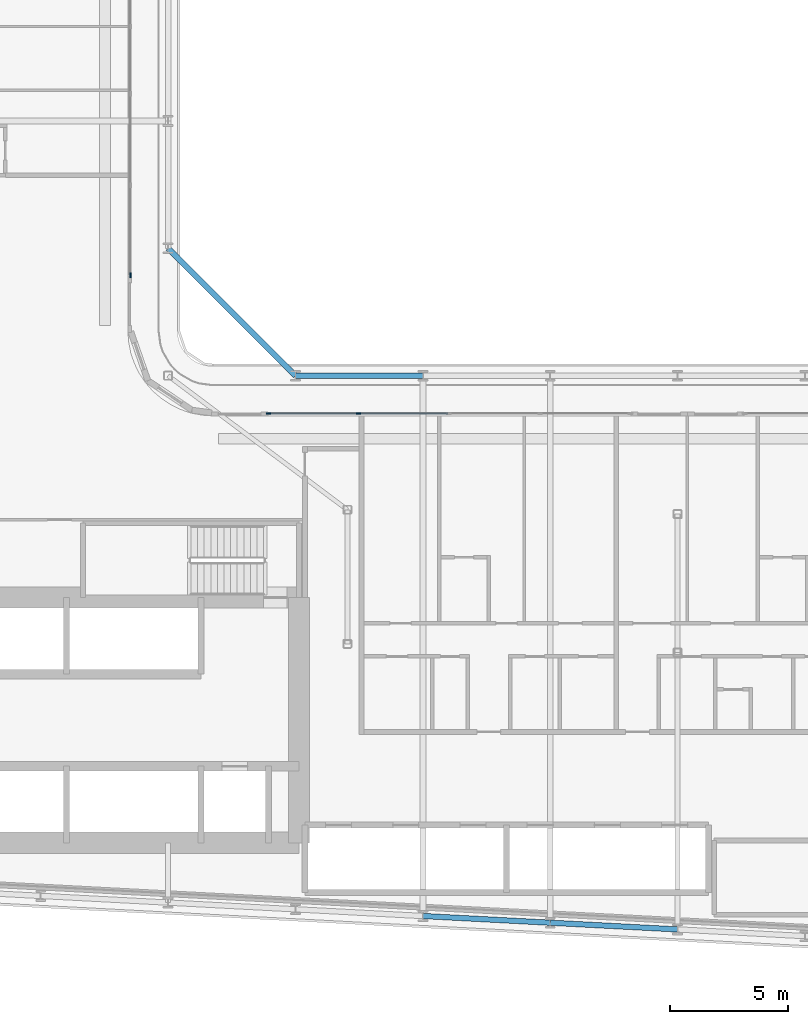
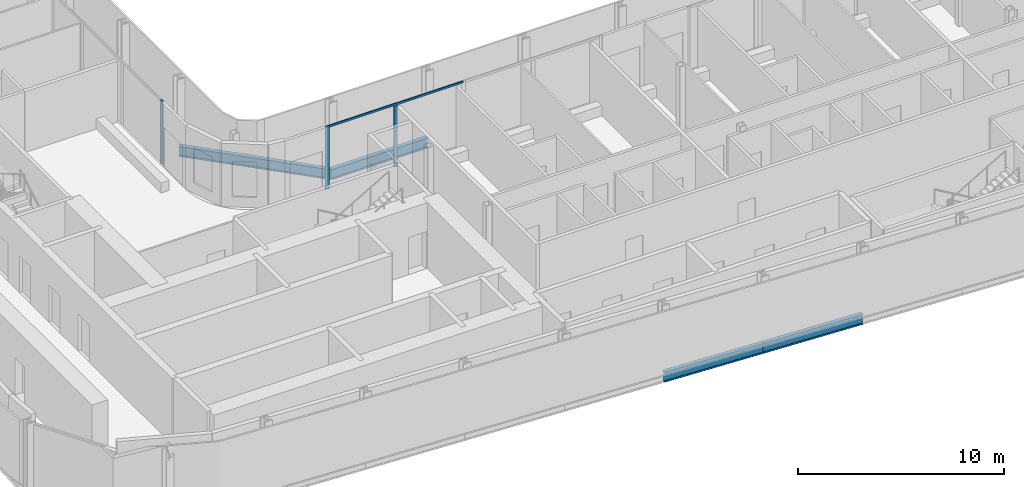
# One storey, part 4 of 29: 4 beams, 4 members, 2 elements without a shape of their own.
"""IFC4 building model written with IfcOpenShell, lengths in metres."""

from ifc_helpers import new_model, si_unit, direction, frame, origin, origin_2d, place, context, subcontext, project, spatial, rectangle, i_section, extrude, material, layer, layer_set, material_profile, profile_set, type_object, element, aggregate, save


model = new_model("IFC4")

# Units and contexts
model_context = context("Model", 3, precision=1e-05, world=origin(), true_north=direction((0.0, 1.0)))
body_context = subcontext(model_context, "Body", "Model", "MODEL_VIEW")
ifc_project = project(units=[si_unit("LENGTHUNIT", "METRE"), si_unit("AREAUNIT", "SQUARE_METRE"), si_unit("VOLUMEUNIT", "CUBIC_METRE"), si_unit("PLANEANGLEUNIT", "RADIAN"), si_unit("MASSUNIT", "GRAM", prefix="KILO")], contexts=[model_context])

# Site, building, storey
site_placement = place(None, origin())
site = spatial("IfcSite", under=ifc_project, at=site_placement, CompositionType="ELEMENT")
building_placement = place(site_placement, origin())
building = spatial("IfcBuilding", under=site, at=building_placement, Name="Kheshtan School and Residences Tower", CompositionType="ELEMENT")
storey_placement = place(building_placement, frame((0.0, 0.0, 117.5)))
storey = spatial("IfcBuildingStorey", under=building, at=storey_placement, Name="L27", CompositionType="ELEMENT", Elevation=117.5)

# Beams
ifc_material_1 = material(Name="Steel ASTM A992 Grade 50", Category="steel")
ifc_material_profile_1 = material_profile(ifc_material_1, i_section(OverallWidth=0.22802734375, OverallDepth=0.60302734375, WebThickness=0.010498046875, FlangeThickness=0.014892578125, FilletRadius=0.013427734375, at=origin_2d()), Name="W610x101")
ifc_profile_set_1 = profile_set([ifc_material_profile_1], Name="Steel ASTM A992 Grade 50")
beam_type = type_object("IfcBeamType", Name="Beam SP2 W610x101 ASTM A992 Grade 50", PredefinedType="BEAM", material=ifc_profile_set_1)
beam_1_placement = place(storey_placement, frame((47.60009765625, 51.0, -0.451416015625), z_axis=(0.707106781187, -0.707106781187, 0.0), x_axis=(0.707106781187, 0.707106781187, 0.0)))
element("IfcBeam", 1, at=beam_1_placement, inside=storey, type_object=beam_type, Name="Spandrel beam C079-C061", PredefinedType="BEAM", context=body_context, shape_type="SweptSolid", body=[
    extrude(i_section(OverallWidth=0.22802734375, OverallDepth=0.60302734375, WebThickness=0.010498046875, FlangeThickness=0.014892578125, FilletRadius=0.013427734375, at=origin_2d()), origin(), (0.0, 0.0, 1.0), 7.63671875),
])
beam_2_placement = place(storey_placement, frame((53.0, 45.60009765625, -0.451416015625), z_axis=(1.0, 0.0, 0.0), x_axis=(0.0, 1.0, 0.0)))
element("IfcBeam", 2, at=beam_2_placement, inside=storey, type_object=beam_type, Name="Spandrel beam C061-C062", PredefinedType="BEAM", context=body_context, shape_type="SweptSolid", body=[
    extrude(i_section(OverallWidth=0.22802734375, OverallDepth=0.60302734375, WebThickness=0.010498046875, FlangeThickness=0.014892578125, FilletRadius=0.013427734375, at=origin_2d()), origin(), (0.0, 0.0, 1.0), 5.39990234375),
])
beam_3_placement = place(storey_placement, frame((69.199951171875, 22.126953125, -0.451416015625), z_axis=(-0.998620447272, 0.05250906864, 0.0), x_axis=(-0.05250906864, -0.998620447272, 0.0)))
element("IfcBeam", 3, at=beam_3_placement, inside=storey, type_object=beam_type, Name="Spandrel beam C014-C016", PredefinedType="BEAM", context=body_context, shape_type="SweptSolid", body=[
    extrude(i_section(OverallWidth=0.22802734375, OverallDepth=0.60302734375, WebThickness=0.010498046875, FlangeThickness=0.014892578125, FilletRadius=0.013427734375, at=origin_2d()), origin(), (0.0, 0.0, 1.0), 5.407470703125),
])
beam_4_placement = place(storey_placement, frame((63.800048828125, 22.410888671875, -0.451416015625), z_axis=(-0.998618203458, 0.052551724256, 0.0), x_axis=(-0.052551724256, -0.998618203458, 0.0)))
element("IfcBeam", 4, at=beam_4_placement, inside=storey, type_object=beam_type, Name="Spandrel beam C016-C018", PredefinedType="BEAM", context=body_context, shape_type="SweptSolid", body=[
    extrude(i_section(OverallWidth=0.22802734375, OverallDepth=0.60302734375, WebThickness=0.010498046875, FlangeThickness=0.014892578125, FilletRadius=0.013427734375, at=origin_2d()), origin(), (0.0, 0.0, 1.0), 5.40771484375),
])

# Curtain wall, member
ifc_material_2 = material(Name="Clear low-e glass in thermally broken aluminium frame", Category="aluminium")
ifc_layer = layer(ifc_material_2, 0.199951171875)
ifc_layer_set = layer_set([ifc_layer], Name="Curtain wall CW-L")
curtain_wall_type = type_object("IfcCurtainWallType", Name="Curtain wall CW-L", PredefinedType="NOTDEFINED", material=ifc_layer_set)
curtain_wall_1_placement = place(storey_placement, origin())
curtain_wall_1 = element("IfcCurtainWall", 5, at=curtain_wall_1_placement, inside=storey, type_object=curtain_wall_type, Name="Curtain wall CWL8", PredefinedType="NOTDEFINED")
ifc_material_3 = material(Name="Thermally broken aluminium, dark bronze anodised", Category="aluminium")
ifc_material_profile_2 = material_profile(ifc_material_3, rectangle(XDim=0.06005859375, YDim=0.199951171875, at=origin_2d()), Name="CW-L mullion 60x200")
ifc_profile_set_2 = profile_set([ifc_material_profile_2], Name="Thermally broken aluminium, dark bronze anodised")
member_type_1 = type_object("IfcMemberType", Name="CW-L mullion 60x200", PredefinedType="MULLION", material=ifc_profile_set_2)
member_1_placement = place(storey_placement, frame((46.0, 49.860107421875, 0.0), z_axis=(0.0, 0.0, 1.0), x_axis=(1.0, 0.0, 0.0)))
member_1 = element("IfcMember", 6, at=member_1_placement, type_object=member_type_1, Name="CWL8 mullion 3", PredefinedType="MULLION", context=body_context, shape_type="SweptSolid", body=[
    extrude(rectangle(XDim=0.06005859375, YDim=0.199951171875, at=origin_2d()), origin(), (0.0, 0.0, 1.0), 3.75),
])
aggregate(curtain_wall_1, [member_1])

# Curtain wall, members
curtain_wall_2_placement = place(storey_placement, origin())
curtain_wall_2 = element("IfcCurtainWall", 7, at=curtain_wall_2_placement, inside=storey, type_object=curtain_wall_type, Name="Curtain wall CWL12j", PredefinedType="NOTDEFINED")
member_2_placement = place(storey_placement, frame((51.860107421875, 44.0, 0.0), z_axis=(0.0, 0.0, 1.0), x_axis=(0.0, 1.0, 0.0)))
member_2 = element("IfcMember", 8, at=member_2_placement, type_object=member_type_1, Name="CWL12j mullion 1", PredefinedType="MULLION", context=body_context, shape_type="SweptSolid", body=[
    extrude(rectangle(XDim=0.06005859375, YDim=0.199951171875, at=origin_2d()), origin(), (0.0, 0.0, 1.0), 3.75),
])
member_3_placement = place(storey_placement, frame((55.677001953125, 44.0, 0.0), z_axis=(0.0, 0.0, 1.0), x_axis=(0.0, 1.0, 0.0)))
member_3 = element("IfcMember", 9, at=member_3_placement, type_object=member_type_1, Name="CWL12j mullion 2", PredefinedType="MULLION", context=body_context, shape_type="SweptSolid", body=[
    extrude(rectangle(XDim=0.06005859375, YDim=0.199951171875, at=origin_2d()), origin(), (0.0, 0.0, 1.0), 3.6298828125),
])
ifc_material_profile_3 = material_profile(ifc_material_3, rectangle(XDim=0.06005859375, YDim=0.1201171875, at=origin_2d()), Name="CW-L transom 60x120")
ifc_profile_set_3 = profile_set([ifc_material_profile_3], Name="Thermally broken aluminium, dark bronze anodised")
member_type_2 = type_object("IfcMemberType", Name="CW-L transom 60x120", PredefinedType="USERDEFINED", material=ifc_profile_set_3)
member_4_placement = place(storey_placement, frame((51.889892578125, 44.0, 3.68994140625), z_axis=(1.0, 0.0, 0.0), x_axis=(0.0, 1.0, 0.0)))
member_4 = element("IfcMember", 10, at=member_4_placement, type_object=member_type_2, Name="CWL12j transom 1", ObjectType="TRANSOM", PredefinedType="USERDEFINED", context=body_context, shape_type="SweptSolid", body=[
    extrude(rectangle(XDim=0.06005859375, YDim=0.1201171875, at=origin_2d()), origin(), (0.0, 0.0, 1.0), 7.57421875),
])
aggregate(curtain_wall_2, [member_2, member_3, member_4])

save(model, "model.ifc")
